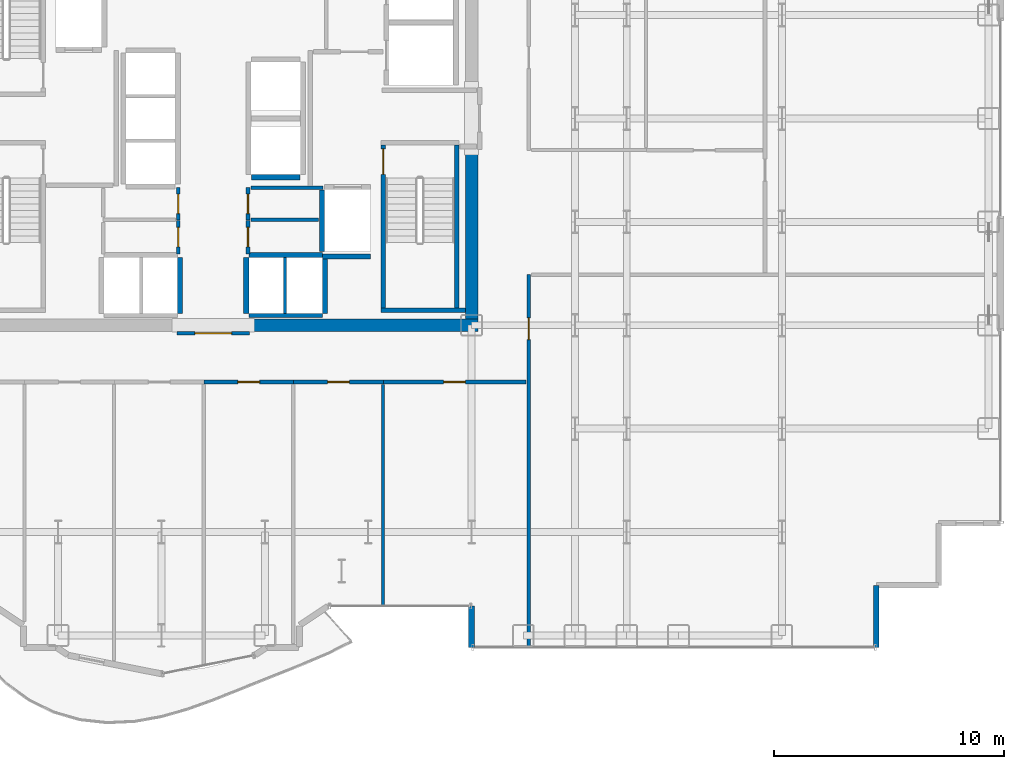
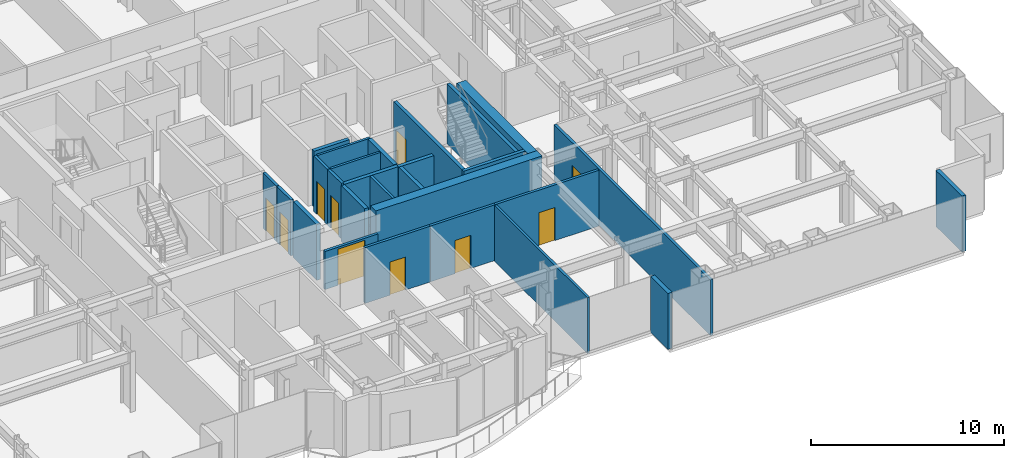
# One storey, part 24 of 29: 28 walls, 10 doors, 10 openings.
"""IFC4 building model written with IfcOpenShell, lengths in metres."""

from ifc_helpers import new_model, si_unit, direction, frame, frame_2d, origin, place, context, subcontext, project, spatial, rectangle, extrude, source, transform, mapped, material, layer, layer_set, type_object, element, fill, save


model = new_model("IFC4")

# Units and contexts
model_context = context("Model", 3, precision=1e-05, world=origin(), true_north=direction((0.0, 1.0)))
body_context = subcontext(model_context, "Body", "Model", "MODEL_VIEW")
ifc_project = project(units=[si_unit("LENGTHUNIT", "METRE"), si_unit("AREAUNIT", "SQUARE_METRE"), si_unit("VOLUMEUNIT", "CUBIC_METRE"), si_unit("PLANEANGLEUNIT", "RADIAN"), si_unit("MASSUNIT", "GRAM", prefix="KILO")], contexts=[model_context])

# Site, building, storey
site_placement = place(None, origin())
site = spatial("IfcSite", under=ifc_project, at=site_placement, CompositionType="ELEMENT")
building_placement = place(site_placement, origin())
building = spatial("IfcBuilding", under=site, at=building_placement, Name="Nefas-Gora Pilgrimage Tower", CompositionType="ELEMENT")
storey_placement = place(building_placement, frame((0.0, 0.0, 90.800048828125)))
storey = spatial("IfcBuildingStorey", under=building, at=storey_placement, Name="L21", CompositionType="ELEMENT", Elevation=90.800048828125)

# Walls
ifc_material_1 = material(Name="Concrete C60/75", Category="concrete")
ifc_layer_1 = layer(ifc_material_1, 0.550048828125)
ifc_layer_set_1 = layer_set([ifc_layer_1], Name="Concrete C60/75")
wall_type_1 = type_object("IfcWallType", Name="SW-CORE-550", PredefinedType="SHEAR", material=ifc_layer_set_1)
shared_shape_1 = source(origin(), body_context, "Body", "SweptSolid", [
    extrude(rectangle(XDim=9.974853515625, YDim=0.550048828125, at=frame_2d((4.9873046875, 0.0))), origin(), (0.0, 0.0, 1.0), 3.800048828125),
])
wall_1_placement = place(storey_placement, frame((1.550048828125, -9.0, 0.0), z_axis=(0.0, 0.0, 1.0), x_axis=(1.0, 0.0, 0.0)))
element("IfcWall", 1, at=wall_1_placement, inside=storey, type_object=wall_type_1, Name="L21 Core Shear Wall S-East", PredefinedType="SHEAR", context=body_context, shape_type="MappedRepresentation", body=[
    mapped(shared_shape_1, transform((0.0, 0.0, 0.0), x_axis=(1.0, 0.0, 0.0), y_axis=(0.0, 1.0, 0.0), z_axis=(0.0, 0.0, 1.0), scale=1.0)),
])
shared_shape_2 = source(origin(), body_context, "Body", "SweptSolid", [
    extrude(rectangle(XDim=7.375, YDim=0.550048828125, at=frame_2d((3.6875, 0.0))), origin(), (0.0, 0.0, 1.0), 3.800048828125),
])
wall_2_placement = place(storey_placement, frame((11.25, -8.72509765625, 0.0), z_axis=(0.0, 0.0, 1.0), x_axis=(0.0, 1.0, 0.0)))
element("IfcWall", 2, at=wall_2_placement, inside=storey, type_object=wall_type_1, Name="L21 Core Shear Wall E-South", PredefinedType="SHEAR", context=body_context, shape_type="MappedRepresentation", body=[
    mapped(shared_shape_2, transform((0.0, 0.0, 0.0), x_axis=(1.0, 0.0, 0.0), y_axis=(0.0, 1.0, 0.0), z_axis=(0.0, 0.0, 1.0), scale=1.0)),
])
ifc_material_2 = material(Name="Precast concrete C40/50", Category="concrete")
ifc_layer_2 = layer(ifc_material_2, 0.260009765625)
ifc_layer_set_2 = layer_set([ifc_layer_2], Name="Precast concrete C40/50")
wall_type_2 = type_object("IfcWallType", Name="EW-PORTAL-260", PredefinedType="SOLIDWALL", material=ifc_layer_set_2)
shared_shape_3 = source(origin(), body_context, "Body", "SweptSolid", [
    extrude(rectangle(XDim=1.800048828125, YDim=0.260009765625, at=frame_2d((0.89990234375, 0.0))), origin(), (0.0, 0.0, 1.0), 3.550048828125),
])
wall_3_placement = place(storey_placement, frame((11.25, -21.219970703125, 0.0), z_axis=(0.0, 0.0, 1.0), x_axis=(0.0, -1.0, 0.0)))
element("IfcWall", 3, at=wall_3_placement, inside=storey, type_object=wall_type_2, Name="L21 Lobe Shoulder Precast Spandrel Pier 5", PredefinedType="SOLIDWALL", context=body_context, shape_type="MappedRepresentation", body=[
    mapped(shared_shape_3, transform((0.0, 0.0, 0.0), x_axis=(1.0, 0.0, 0.0), y_axis=(0.0, 1.0, 0.0), z_axis=(0.0, 0.0, 1.0), scale=1.0)),
])
ifc_material_3 = material(Name="Precast concrete C45/55", Category="concrete")
ifc_layer_3 = layer(ifc_material_3, 0.239990234375)
ifc_layer_set_3 = layer_set([ifc_layer_3], Name="Precast concrete C45/55")
wall_type_3 = type_object("IfcWallType", Name="EW-SERR-240", PredefinedType="SHEAR", material=ifc_layer_set_3)
shared_shape_4 = source(origin(), body_context, "Body", "SweptSolid", [
    extrude(rectangle(XDim=2.699951171875, YDim=0.239990234375, at=frame_2d((1.35009765625, 0.0))), origin(), (0.0, 0.0, 1.0), 3.550048828125),
])
wall_4_placement = place(storey_placement, frame((28.8701171875, -23.02001953125, 0.0), z_axis=(0.0, 0.0, 1.0), x_axis=(0.0, 1.0, 0.0)))
element("IfcWall", 4, at=wall_4_placement, inside=storey, type_object=wall_type_3, Name="L21 Serrated Corner Shear Pier Wall 6", PredefinedType="SHEAR", context=body_context, shape_type="MappedRepresentation", body=[
    mapped(shared_shape_4, transform((0.0, 0.0, 0.0), x_axis=(1.0, 0.0, 0.0), y_axis=(0.0, 1.0, 0.0), z_axis=(0.0, 0.0, 1.0), scale=1.0)),
])

# Wall, opening, door
ifc_material_4 = material(Name="Concrete C45/55", Category="concrete")
ifc_layer_4 = layer(ifc_material_4, 0.199951171875)
ifc_layer_set_4 = layer_set([ifc_layer_4], Name="Concrete C45/55")
wall_type_4 = type_object("IfcWallType", Name="IW-STAIR-200", PredefinedType="SOLIDWALL", material=ifc_layer_set_4)
shared_shape_5 = source(origin(), body_context, "Body", "SweptSolid", [
    extrude(rectangle(XDim=7.10009765625, YDim=0.199951171875, at=frame_2d((3.550048828125, 0.0))), origin(), (0.0, 0.0, 1.0), 3.800048828125),
])
wall_5_placement = place(storey_placement, frame((7.39990234375, -1.14990234375, 0.0), z_axis=(0.0, 0.0, 1.0), x_axis=(0.0, -1.0, 0.0)))
wall_5 = element("IfcWall", 5, at=wall_5_placement, inside=storey, type_object=wall_type_4, Name="L21 Stairwell Shear Wall ST-02-left", PredefinedType="SOLIDWALL", context=body_context, shape_type="MappedRepresentation", body=[
    mapped(shared_shape_5, transform((0.0, 0.0, 0.0), x_axis=(1.0, 0.0, 0.0), y_axis=(0.0, 1.0, 0.0), z_axis=(0.0, 0.0, 1.0), scale=1.0)),
])
opening_1_placement = place(wall_5_placement, frame((0.179931640625, 0.0, 0.0)))
opening_1 = element("IfcOpeningElement", 6, at=opening_1_placement, cuts=wall_5, Name="Opening ID-ST1", PredefinedType="OPENING", context=body_context, shape_type="SweptSolid", body=[
    extrude(rectangle(XDim=1.10009765625, YDim=2.14990234375, at=frame_2d((0.550048828125, 1.074951171875))), frame((0.0, 0.10986328125, 0.0), z_axis=(0.0, -1.0, 0.0), x_axis=(1.0, 0.0, 0.0)), (0.0, 0.0, 1.0), 0.219970703125),
])
ifc_material_5 = material(Name="Painted galvanised steel fire stair door", Category="steel")
door_type_1 = type_object("IfcDoorType", Name="DR-INT-STAIR-1100", OperationType="NOTDEFINED", PredefinedType="DOOR", material=ifc_material_5)
shared_shape_6 = source(origin(), body_context, "Body", "SweptSolid", [
    extrude(rectangle(XDim=1.10009765625, YDim=2.14990234375, at=frame_2d((0.550048828125, 1.074951171875))), frame((0.0, 0.02490234375, 0.0), z_axis=(0.0, -1.0, 0.0), x_axis=(1.0, 0.0, 0.0)), (0.0, 0.0, 1.0), 0.050048828125),
])
door_1_placement = place(opening_1_placement, origin())
door_1 = element("IfcDoor", 7, at=door_1_placement, inside=storey, type_object=door_type_1, Name="L21 Protected Exit Stair Door ST-02", OperationType="SINGLE_SWING_RIGHT", OverallHeight=2.14990234375, OverallWidth=1.10009765625, PredefinedType="DOOR", context=body_context, shape_type="MappedRepresentation", body=[
    mapped(shared_shape_6, transform((0.0, 0.0, 0.0), x_axis=(1.0, 0.0, 0.0), y_axis=(0.0, 1.0, 0.0), z_axis=(0.0, 0.0, 1.0), scale=1.0)),
])
fill(opening_1, door_1)

# Walls
wall_6_placement = place(storey_placement, frame((10.60009765625, -1.14990234375, 0.0), z_axis=(0.0, 0.0, 1.0), x_axis=(0.0, -1.0, 0.0)))
element("IfcWall", 8, at=wall_6_placement, inside=storey, type_object=wall_type_4, Name="L21 Stairwell Shear Wall ST-02-right", PredefinedType="SOLIDWALL", context=body_context, shape_type="MappedRepresentation", body=[
    mapped(shared_shape_5, transform((0.0, 0.0, 0.0), x_axis=(1.0, 0.0, 0.0), y_axis=(0.0, 1.0, 0.0), z_axis=(0.0, 0.0, 1.0), scale=1.0)),
])
shared_shape_7 = source(origin(), body_context, "Body", "SweptSolid", [
    extrude(rectangle(XDim=3.679931640625, YDim=0.199951171875, at=frame_2d((1.83984375, 0.0))), origin(), (0.0, 0.0, 1.0), 3.800048828125),
])
wall_7_placement = place(storey_placement, frame((7.300048828125, -8.35009765625, 0.0), z_axis=(0.0, 0.0, 1.0), x_axis=(1.0, 0.0, 0.0)))
element("IfcWall", 9, at=wall_7_placement, inside=storey, type_object=wall_type_4, Name="L21 Stairwell Shear Wall ST-02-far", PredefinedType="SOLIDWALL", context=body_context, shape_type="MappedRepresentation", body=[
    mapped(shared_shape_7, transform((0.0, 0.0, 0.0), x_axis=(1.0, 0.0, 0.0), y_axis=(0.0, 1.0, 0.0), z_axis=(0.0, 0.0, 1.0), scale=1.0)),
])
ifc_material_6 = material(Name="Concrete C40/50", Category="concrete")
ifc_layer_5 = layer(ifc_material_6, 0.219970703125)
ifc_layer_set_5 = layer_set([ifc_layer_5], Name="Concrete C40/50")
wall_type_5 = type_object("IfcWallType", Name="IW-SHAFT-220", PredefinedType="SOLIDWALL", material=ifc_layer_set_5)
shared_shape_8 = source(origin(), body_context, "Body", "SweptSolid", [
    extrude(rectangle(XDim=2.679931640625, YDim=0.219970703125, at=frame_2d((1.33984375, 0.0))), origin(), (0.0, 0.0, 1.0), 3.534912109375),
])
wall_8_placement = place(storey_placement, frame((4.739990234375, -3.110107421875, 0.0), z_axis=(0.0, 0.0, 1.0), x_axis=(0.0, -1.0, 0.0)))
element("IfcWall", 10, at=wall_8_placement, inside=storey, type_object=wall_type_5, Name="L21 Hoistway Wall FFL-02-W", PredefinedType="SOLIDWALL", context=body_context, shape_type="MappedRepresentation", body=[
    mapped(shared_shape_8, transform((0.0, 0.0, 0.0), x_axis=(1.0, 0.0, 0.0), y_axis=(0.0, 1.0, 0.0), z_axis=(0.0, 0.0, 1.0), scale=1.0)),
])
shared_shape_9 = source(origin(), body_context, "Body", "SweptSolid", [
    extrude(rectangle(XDim=3.199951171875, YDim=0.219970703125, at=frame_2d((1.60009765625, 0.0))), origin(), (0.0, 0.0, 1.0), 3.534912109375),
])
wall_9_placement = place(storey_placement, frame((4.75, -5.93994140625, 0.0), z_axis=(0.0, 0.0, 1.0), x_axis=(-1.0, 0.0, 0.0)))
element("IfcWall", 11, at=wall_9_placement, inside=storey, type_object=wall_type_5, Name="L21 Hoistway Wall PL2-E-N", PredefinedType="SOLIDWALL", context=body_context, shape_type="MappedRepresentation", body=[
    mapped(shared_shape_9, transform((0.0, 0.0, 0.0), x_axis=(1.0, 0.0, 0.0), y_axis=(0.0, 1.0, 0.0), z_axis=(0.0, 0.0, 1.0), scale=1.0)),
])
ifc_material_7 = material(Name="Gypsum acoustic stud partition")
ifc_layer_6 = layer(ifc_material_7, 0.159912109375)
ifc_layer_set_6 = layer_set([ifc_layer_6], Name="Gypsum acoustic stud partition")
wall_type_6 = type_object("IfcWallType", Name="IW-CORR-160", PredefinedType="PARTITIONING", material=ifc_layer_set_6)
shared_shape_10 = source(origin(), body_context, "Body", "SweptSolid", [
    extrude(rectangle(XDim=3.199951171875, YDim=0.159912109375, at=frame_2d((1.60009765625, 0.0))), origin(), (0.0, 0.0, 1.0), 2.425048828125),
])
wall_10_placement = place(storey_placement, frame((1.550048828125, -8.580078125, 0.0), z_axis=(0.0, 0.0, 1.0), x_axis=(1.0, 0.0, 0.0)))
element("IfcWall", 12, at=wall_10_placement, inside=storey, type_object=wall_type_6, Name="L21 Hoistway Wall PL2-E-S", PredefinedType="PARTITIONING", context=body_context, shape_type="MappedRepresentation", body=[
    mapped(shared_shape_10, transform((0.0, 0.0, 0.0), x_axis=(1.0, 0.0, 0.0), y_axis=(0.0, 1.0, 0.0), z_axis=(0.0, 0.0, 1.0), scale=1.0)),
])
shared_shape_11 = source(origin(), body_context, "Body", "SweptSolid", [
    extrude(rectangle(XDim=2.429931640625, YDim=0.219970703125, at=frame_2d((1.21484375, 0.0))), origin(), (0.0, 0.0, 1.0), 3.534912109375),
])
for number, where, z_axis, x_axis, name in (
    (13, (-1.43994140625, -8.489990234375, 0.0), (0.0, 0.0, 1.0), (0.0, 1.0, 0.0), "L21 Hoistway Wall PL2-W-E"),
    (14, (1.43994140625, -6.06005859375, 0.0), (0.0, 0.0, 1.0), (0.0, -1.0, 0.0), "L21 Hoistway Wall PL2-E-W"),
    (15, (4.860107421875, -8.489990234375, 0.0), (0.0, 0.0, 1.0), (0.0, 1.0, 0.0), "L21 Hoistway Wall PL2-E-E"),
):
    element("IfcWall", number, at=place(storey_placement, frame(where, z_axis=z_axis, x_axis=x_axis)), inside=storey, type_object=wall_type_5, Name=name, PredefinedType="SOLIDWALL", context=body_context, shape_type="MappedRepresentation", body=[
        mapped(shared_shape_11, transform((0.0, 0.0, 0.0), x_axis=(1.0, 0.0, 0.0), y_axis=(0.0, 1.0, 0.0), z_axis=(0.0, 0.0, 1.0), scale=1.0)),
    ])
ifc_material_8 = material(Name="Gypsum twin-stud partition")
ifc_layer_7 = layer(ifc_material_8, 0.139892578125)
ifc_layer_set_7 = layer_set([ifc_layer_7], Name="Gypsum twin-stud partition")
wall_type_7 = type_object("IfcWallType", Name="IW-UNIT-140", PredefinedType="PARTITIONING", material=ifc_layer_set_7)
shared_shape_12 = source(origin(), body_context, "Body", "SweptSolid", [
    extrude(rectangle(XDim=2.429931640625, YDim=0.139892578125, at=frame_2d((1.21484375, 0.0))), origin(), (0.0, 0.0, 1.0), 3.534912109375),
])
wall_11_placement = place(storey_placement, frame((3.125, -8.489990234375, 0.0), z_axis=(0.0, 0.0, 1.0), x_axis=(0.0, 1.0, 0.0)))
element("IfcWall", 16, at=wall_11_placement, inside=storey, type_object=wall_type_7, Name="L21 Hoistway Wall PL2-E-DIV", PredefinedType="PARTITIONING", context=body_context, shape_type="MappedRepresentation", body=[
    mapped(shared_shape_12, transform((0.0, 0.0, 0.0), x_axis=(1.0, 0.0, 0.0), y_axis=(0.0, 1.0, 0.0), z_axis=(0.0, 0.0, 1.0), scale=1.0)),
])
shared_shape_13 = source(origin(), body_context, "Body", "SweptSolid", [
    extrude(rectangle(XDim=2.130126953125, YDim=0.219970703125, at=frame_2d((1.06494140625, 0.0))), origin(), (0.0, 0.0, 1.0), 3.534912109375),
])
wall_12_placement = place(storey_placement, frame((1.659912109375, -2.56005859375, 0.0), z_axis=(0.0, 0.0, 1.0), x_axis=(1.0, 0.0, 0.0)))
element("IfcWall", 17, at=wall_12_placement, inside=storey, type_object=wall_type_5, Name="L21 Hoistway Wall OBS-01-S", PredefinedType="SOLIDWALL", context=body_context, shape_type="MappedRepresentation", body=[
    mapped(shared_shape_13, transform((0.0, 0.0, 0.0), x_axis=(1.0, 0.0, 0.0), y_axis=(0.0, 1.0, 0.0), z_axis=(0.0, 0.0, 1.0), scale=1.0)),
])
shared_shape_14 = source(origin(), body_context, "Body", "SweptSolid", [
    extrude(rectangle(XDim=2.09521484375, YDim=0.219970703125, at=frame_2d((1.047607421875, 0.0))), origin(), (0.0, 0.0, 1.0), 3.534912109375),
])
wall_13_placement = place(storey_placement, frame((4.7548828125, -6.0, 0.0), z_axis=(0.0, 0.0, 1.0), x_axis=(1.0, 0.0, 0.0)))
element("IfcWall", 18, at=wall_13_placement, inside=storey, type_object=wall_type_5, Name="L21 Riser Shaft Wall 2", PredefinedType="SOLIDWALL", context=body_context, shape_type="MappedRepresentation", body=[
    mapped(shared_shape_14, transform((0.0, 0.0, 0.0), x_axis=(1.0, 0.0, 0.0), y_axis=(0.0, 1.0, 0.0), z_axis=(0.0, 0.0, 1.0), scale=1.0)),
])
shared_shape_15 = source(origin(), body_context, "Body", "SweptSolid", [
    extrude(rectangle(XDim=2.9501953125, YDim=0.139892578125, at=frame_2d((1.47509765625, 0.0))), origin(), (0.0, 0.0, 1.0), 3.534912109375),
])
wall_14_placement = place(storey_placement, frame((1.639892578125, -4.409912109375, 0.0), z_axis=(0.0, 0.0, 1.0), x_axis=(1.0, 0.0, 0.0)))
element("IfcWall", 19, at=wall_14_placement, inside=storey, type_object=wall_type_7, Name="L21 Clean Blanket and Robe Store Partition Wall 23", PredefinedType="PARTITIONING", context=body_context, shape_type="MappedRepresentation", body=[
    mapped(shared_shape_15, transform((0.0, 0.0, 0.0), x_axis=(1.0, 0.0, 0.0), y_axis=(0.0, 1.0, 0.0), z_axis=(0.0, 0.0, 1.0), scale=1.0)),
])
shared_shape_16 = source(origin(), body_context, "Body", "SweptSolid", [
    extrude(rectangle(XDim=9.64990234375, YDim=0.139892578125, at=frame_2d((4.824951171875, 0.0))), origin(), (0.0, 0.0, 1.0), 3.534912109375),
])
wall_15_placement = place(storey_placement, frame((7.39501953125, -21.239990234375, 0.0), z_axis=(0.0, 0.0, 1.0), x_axis=(0.0, 1.0, 0.0)))
element("IfcWall", 20, at=wall_15_placement, inside=storey, type_object=wall_type_7, Name="L21 Pilgrim Contemplative Lounge Partition Wall 65", PredefinedType="PARTITIONING", context=body_context, shape_type="MappedRepresentation", body=[
    mapped(shared_shape_16, transform((0.0, 0.0, 0.0), x_axis=(1.0, 0.0, 0.0), y_axis=(0.0, 1.0, 0.0), z_axis=(0.0, 0.0, 1.0), scale=1.0)),
])

# Wall, opening, door
shared_shape_17 = source(origin(), body_context, "Body", "SweptSolid", [
    extrude(rectangle(XDim=1.409912109375, YDim=0.159912109375, at=frame_2d((0.705078125, 0.0))), origin(), (0.0, 0.0, 1.0), 3.534912109375),
])
wall_16_placement = place(storey_placement, frame((-1.52001953125, -4.419921875, 0.0), z_axis=(0.0, 0.0, 1.0), x_axis=(0.0, 1.0, 0.0)))
wall_16 = element("IfcWall", 21, at=wall_16_placement, inside=storey, type_object=wall_type_6, Name="L21 Housekeeping and Linen Store Wall 16", PredefinedType="PARTITIONING", context=body_context, shape_type="MappedRepresentation", body=[
    mapped(shared_shape_17, transform((0.0, 0.0, 0.0), x_axis=(1.0, 0.0, 0.0), y_axis=(0.0, 1.0, 0.0), z_axis=(0.0, 0.0, 1.0), scale=1.0)),
])
opening_2_placement = place(wall_16_placement, frame((0.280029296875, 0.0, 0.0)))
opening_2 = element("IfcOpeningElement", 22, at=opening_2_placement, cuts=wall_16, Name="Opening ID-BT1", PredefinedType="OPENING", context=body_context, shape_type="SweptSolid", body=[
    extrude(rectangle(XDim=0.85009765625, YDim=2.10009765625, at=frame_2d((0.425048828125, 1.050048828125))), frame((0.0, 0.08984375, 0.0), z_axis=(0.0, -1.0, 0.0), x_axis=(1.0, 0.0, 0.0)), (0.0, 0.0, 1.0), 0.179931640625),
])
ifc_material_9 = material(Name="Moisture-resistant fire-rated timber door", Category="wood")
door_type_2 = type_object("IfcDoorType", Name="DR-INT-BATH-850", OperationType="NOTDEFINED", PredefinedType="DOOR", material=ifc_material_9)
shared_shape_18 = source(origin(), body_context, "Body", "SweptSolid", [
    extrude(rectangle(XDim=0.85009765625, YDim=2.10009765625, at=frame_2d((0.425048828125, 1.050048828125))), frame((0.0, 0.02490234375, 0.0), z_axis=(0.0, -1.0, 0.0), x_axis=(1.0, 0.0, 0.0)), (0.0, 0.0, 1.0), 0.050048828125),
])
door_2_placement = place(opening_2_placement, origin())
door_2 = element("IfcDoor", 23, at=door_2_placement, inside=storey, type_object=door_type_2, Name="L21 Housekeeping and Linen Store Door 6", OperationType="SINGLE_SWING_LEFT", OverallHeight=2.10009765625, OverallWidth=0.85009765625, PredefinedType="DOOR", context=body_context, shape_type="MappedRepresentation", body=[
    mapped(shared_shape_18, transform((0.0, 0.0, 0.0), x_axis=(1.0, 0.0, 0.0), y_axis=(0.0, 1.0, 0.0), z_axis=(0.0, 0.0, 1.0), scale=1.0)),
])
fill(opening_2, door_2)

wall_17_placement = place(storey_placement, frame((1.52001953125, -4.419921875, 0.0), z_axis=(0.0, 0.0, 1.0), x_axis=(0.0, 1.0, 0.0)))
wall_17 = element("IfcWall", 24, at=wall_17_placement, inside=storey, type_object=wall_type_6, Name="L21 Clean Blanket and Robe Store Wall 21", PredefinedType="PARTITIONING", context=body_context, shape_type="MappedRepresentation", body=[
    mapped(shared_shape_17, transform((0.0, 0.0, 0.0), x_axis=(1.0, 0.0, 0.0), y_axis=(0.0, 1.0, 0.0), z_axis=(0.0, 0.0, 1.0), scale=1.0)),
])
opening_3_placement = place(wall_17_placement, frame((0.280029296875, 0.0, 0.0)))
opening_3 = element("IfcOpeningElement", 25, at=opening_3_placement, cuts=wall_17, Name="Opening ID-BT1", PredefinedType="OPENING", context=body_context, shape_type="SweptSolid", body=[
    extrude(rectangle(XDim=0.85009765625, YDim=2.10009765625, at=frame_2d((0.425048828125, 1.050048828125))), frame((0.0, 0.08984375, 0.0), z_axis=(0.0, -1.0, 0.0), x_axis=(1.0, 0.0, 0.0)), (0.0, 0.0, 1.0), 0.179931640625),
])
door_3_placement = place(opening_3_placement, origin())
door_3 = element("IfcDoor", 26, at=door_3_placement, inside=storey, type_object=door_type_2, Name="L21 Clean Blanket and Robe Store Door 8", OperationType="SINGLE_SWING_LEFT", OverallHeight=2.10009765625, OverallWidth=0.85009765625, PredefinedType="DOOR", context=body_context, shape_type="MappedRepresentation", body=[
    mapped(shared_shape_18, transform((0.0, 0.0, 0.0), x_axis=(1.0, 0.0, 0.0), y_axis=(0.0, 1.0, 0.0), z_axis=(0.0, 0.0, 1.0), scale=1.0)),
])
fill(opening_3, door_3)

# Wall
shared_shape_19 = source(origin(), body_context, "Body", "SweptSolid", [
    extrude(rectangle(XDim=3.150146484375, YDim=0.139892578125, at=frame_2d((1.5751953125, 0.0))), origin(), (0.0, 0.0, 1.0), 3.534912109375),
])
wall_18_placement = place(storey_placement, frame((1.639892578125, -3.02001953125, 0.0), z_axis=(0.0, 0.0, 1.0), x_axis=(1.0, 0.0, 0.0)))
element("IfcWall", 27, at=wall_18_placement, inside=storey, type_object=wall_type_7, Name="L21 Clean Blanket and Robe Store Partition Wall 22", PredefinedType="PARTITIONING", context=body_context, shape_type="MappedRepresentation", body=[
    mapped(shared_shape_19, transform((0.0, 0.0, 0.0), x_axis=(1.0, 0.0, 0.0), y_axis=(0.0, 1.0, 0.0), z_axis=(0.0, 0.0, 1.0), scale=1.0)),
])

# Wall, opening, door
shared_shape_20 = source(origin(), body_context, "Body", "SweptSolid", [
    extrude(rectangle(XDim=1.449951171875, YDim=0.159912109375, at=frame_2d((0.72509765625, 0.0))), origin(), (0.0, 0.0, 1.0), 3.534912109375),
])
wall_19_placement = place(storey_placement, frame((-1.52001953125, -5.889892578125, 0.0), z_axis=(0.0, 0.0, 1.0), x_axis=(0.0, 1.0, 0.0)))
wall_19 = element("IfcWall", 28, at=wall_19_placement, inside=storey, type_object=wall_type_6, Name="L21 Guest Self-Service Laundry Room Wall 19", PredefinedType="PARTITIONING", context=body_context, shape_type="MappedRepresentation", body=[
    mapped(shared_shape_20, transform((0.0, 0.0, 0.0), x_axis=(1.0, 0.0, 0.0), y_axis=(0.0, 1.0, 0.0), z_axis=(0.0, 0.0, 1.0), scale=1.0)),
])
opening_4_placement = place(wall_19_placement, frame((0.300048828125, 0.0, 0.0)))
opening_4 = element("IfcOpeningElement", 29, at=opening_4_placement, cuts=wall_19, Name="Opening ID-BT1", PredefinedType="OPENING", context=body_context, shape_type="SweptSolid", body=[
    extrude(rectangle(XDim=0.85009765625, YDim=2.10009765625, at=frame_2d((0.425048828125, 1.050048828125))), frame((0.0, 0.08984375, 0.0), z_axis=(0.0, -1.0, 0.0), x_axis=(1.0, 0.0, 0.0)), (0.0, 0.0, 1.0), 0.179931640625),
])
door_4_placement = place(opening_4_placement, origin())
door_4 = element("IfcDoor", 30, at=door_4_placement, inside=storey, type_object=door_type_2, Name="L21 Guest Self-Service Laundry Room Door 7", OperationType="SINGLE_SWING_RIGHT", OverallHeight=2.10009765625, OverallWidth=0.85009765625, PredefinedType="DOOR", context=body_context, shape_type="MappedRepresentation", body=[
    mapped(shared_shape_18, transform((0.0, 0.0, 0.0), x_axis=(1.0, 0.0, 0.0), y_axis=(0.0, 1.0, 0.0), z_axis=(0.0, 0.0, 1.0), scale=1.0)),
])
fill(opening_4, door_4)

wall_20_placement = place(storey_placement, frame((1.52001953125, -5.889892578125, 0.0), z_axis=(0.0, 0.0, 1.0), x_axis=(0.0, 1.0, 0.0)))
wall_20 = element("IfcWall", 31, at=wall_20_placement, inside=storey, type_object=wall_type_6, Name="L21 Core Amenity Supply Store Wall 24", PredefinedType="PARTITIONING", context=body_context, shape_type="MappedRepresentation", body=[
    mapped(shared_shape_20, transform((0.0, 0.0, 0.0), x_axis=(1.0, 0.0, 0.0), y_axis=(0.0, 1.0, 0.0), z_axis=(0.0, 0.0, 1.0), scale=1.0)),
])
opening_5_placement = place(wall_20_placement, frame((0.300048828125, 0.0, 0.0)))
opening_5 = element("IfcOpeningElement", 32, at=opening_5_placement, cuts=wall_20, Name="Opening ID-BT1", PredefinedType="OPENING", context=body_context, shape_type="SweptSolid", body=[
    extrude(rectangle(XDim=0.85009765625, YDim=2.10009765625, at=frame_2d((0.425048828125, 1.050048828125))), frame((0.0, 0.08984375, 0.0), z_axis=(0.0, -1.0, 0.0), x_axis=(1.0, 0.0, 0.0)), (0.0, 0.0, 1.0), 0.179931640625),
])
door_5_placement = place(opening_5_placement, origin())
door_5 = element("IfcDoor", 33, at=door_5_placement, inside=storey, type_object=door_type_2, Name="L21 Core Amenity Supply Store Door 9", OperationType="SINGLE_SWING_RIGHT", OverallHeight=2.10009765625, OverallWidth=0.85009765625, PredefinedType="DOOR", context=body_context, shape_type="MappedRepresentation", body=[
    mapped(shared_shape_18, transform((0.0, 0.0, 0.0), x_axis=(1.0, 0.0, 0.0), y_axis=(0.0, 1.0, 0.0), z_axis=(0.0, 0.0, 1.0), scale=1.0)),
])
fill(opening_5, door_5)

shared_shape_21 = source(origin(), body_context, "Body", "SweptSolid", [
    extrude(rectangle(XDim=3.905029296875, YDim=0.159912109375, at=frame_2d((1.95263671875, 0.0))), origin(), (0.0, 0.0, 1.0), 3.534912109375),
])
wall_21_placement = place(storey_placement, frame((-0.405029296875, -11.469970703125, 0.0), z_axis=(0.0, 0.0, 1.0), x_axis=(1.0, 0.0, 0.0)))
wall_21 = element("IfcWall", 34, at=wall_21_placement, inside=storey, type_object=wall_type_6, Name="L21 Pilgrim Contemplative Lounge Partition Wall 62", PredefinedType="PARTITIONING", context=body_context, shape_type="MappedRepresentation", body=[
    mapped(shared_shape_21, transform((0.0, 0.0, 0.0), x_axis=(1.0, 0.0, 0.0), y_axis=(0.0, 1.0, 0.0), z_axis=(0.0, 0.0, 1.0), scale=1.0)),
])
opening_6_placement = place(wall_21_placement, frame((1.4775390625, 0.0, 0.0)))
opening_6 = element("IfcOpeningElement", 35, at=opening_6_placement, cuts=wall_21, Name="Opening ID-GR1", PredefinedType="OPENING", context=body_context, shape_type="SweptSolid", body=[
    extrude(rectangle(XDim=0.949951171875, YDim=2.10009765625, at=frame_2d((0.47509765625, 1.050048828125))), frame((0.0, 0.08984375, 0.0), z_axis=(0.0, -1.0, 0.0), x_axis=(1.0, 0.0, 0.0)), (0.0, 0.0, 1.0), 0.179931640625),
])
ifc_material_10 = material(Name="Solid core oak fire-rated guest entrance door")
door_type_3 = type_object("IfcDoorType", Name="DR-INT-GUEST-950", OperationType="NOTDEFINED", PredefinedType="DOOR", material=ifc_material_10)
shared_shape_22 = source(origin(), body_context, "Body", "SweptSolid", [
    extrude(rectangle(XDim=0.949951171875, YDim=2.10009765625, at=frame_2d((0.47509765625, 1.050048828125))), frame((0.0, 0.02490234375, 0.0), z_axis=(0.0, -1.0, 0.0), x_axis=(1.0, 0.0, 0.0)), (0.0, 0.0, 1.0), 0.050048828125),
])
door_6_placement = place(opening_6_placement, origin())
door_6 = element("IfcDoor", 36, at=door_6_placement, inside=storey, type_object=door_type_3, Name="L21 Pilgrim Contemplative Lounge Door 29", OperationType="SINGLE_SWING_RIGHT", OverallHeight=2.10009765625, OverallWidth=0.949951171875, PredefinedType="DOOR", context=body_context, shape_type="MappedRepresentation", body=[
    mapped(shared_shape_22, transform((0.0, 0.0, 0.0), x_axis=(1.0, 0.0, 0.0), y_axis=(0.0, 1.0, 0.0), z_axis=(0.0, 0.0, 1.0), scale=1.0)),
])
fill(opening_6, door_6)

wall_22_placement = place(storey_placement, frame((3.5, -11.469970703125, 0.0), z_axis=(0.0, 0.0, 1.0), x_axis=(1.0, 0.0, 0.0)))
wall_22 = element("IfcWall", 37, at=wall_22_placement, inside=storey, type_object=wall_type_6, Name="L21 Pilgrim Contemplative Lounge Partition Wall 64", PredefinedType="PARTITIONING", context=body_context, shape_type="MappedRepresentation", body=[
    mapped(shared_shape_21, transform((0.0, 0.0, 0.0), x_axis=(1.0, 0.0, 0.0), y_axis=(0.0, 1.0, 0.0), z_axis=(0.0, 0.0, 1.0), scale=1.0)),
])
opening_7_placement = place(wall_22_placement, frame((1.4775390625, 0.0, 0.0)))
opening_7 = element("IfcOpeningElement", 38, at=opening_7_placement, cuts=wall_22, Name="Opening ID-GR1", PredefinedType="OPENING", context=body_context, shape_type="SweptSolid", body=[
    extrude(rectangle(XDim=0.949951171875, YDim=2.10009765625, at=frame_2d((0.47509765625, 1.050048828125))), frame((0.0, 0.08984375, 0.0), z_axis=(0.0, -1.0, 0.0), x_axis=(1.0, 0.0, 0.0)), (0.0, 0.0, 1.0), 0.179931640625),
])
door_7_placement = place(opening_7_placement, origin())
door_7 = element("IfcDoor", 39, at=door_7_placement, inside=storey, type_object=door_type_3, Name="L21 Pilgrim Contemplative Lounge Door 30", OperationType="SINGLE_SWING_LEFT", OverallHeight=2.10009765625, OverallWidth=0.949951171875, PredefinedType="DOOR", context=body_context, shape_type="MappedRepresentation", body=[
    mapped(shared_shape_22, transform((0.0, 0.0, 0.0), x_axis=(1.0, 0.0, 0.0), y_axis=(0.0, 1.0, 0.0), z_axis=(0.0, 0.0, 1.0), scale=1.0)),
])
fill(opening_7, door_7)

shared_shape_23 = source(origin(), body_context, "Body", "SweptSolid", [
    extrude(rectangle(XDim=3.16015625, YDim=0.159912109375, at=frame_2d((1.580078125, 0.0))), origin(), (0.0, 0.0, 1.0), 2.425048828125),
])
wall_23_placement = place(storey_placement, frame((-1.580078125, -9.35009765625, 0.0), z_axis=(0.0, 0.0, 1.0), x_axis=(1.0, 0.0, 0.0)))
wall_23 = element("IfcWall", 40, at=wall_23_placement, inside=storey, type_object=wall_type_6, Name="L21 Central Lift Lobby South Portal Wall 14", PredefinedType="PARTITIONING", context=body_context, shape_type="MappedRepresentation", body=[
    mapped(shared_shape_23, transform((0.0, 0.0, 0.0), x_axis=(1.0, 0.0, 0.0), y_axis=(0.0, 1.0, 0.0), z_axis=(0.0, 0.0, 1.0), scale=1.0)),
])
opening_8_placement = place(wall_23_placement, frame((0.780029296875, 0.0, 0.0)))
opening_8 = element("IfcOpeningElement", 41, at=opening_8_placement, cuts=wall_23, Name="Opening ID-HL1", PredefinedType="OPENING", context=body_context, shape_type="SweptSolid", body=[
    extrude(rectangle(XDim=1.60009765625, YDim=2.300048828125, at=frame_2d((0.800048828125, 1.14990234375))), frame((0.0, 0.08984375, 0.0), z_axis=(0.0, -1.0, 0.0), x_axis=(1.0, 0.0, 0.0)), (0.0, 0.0, 1.0), 0.179931640625),
])
ifc_material_11 = material(Name="Double acoustic timber assembly hall door", Category="wood")
door_type_4 = type_object("IfcDoorType", Name="DR-INT-HALL-1600", OperationType="DOUBLE_DOOR_SINGLE_SWING", PredefinedType="DOOR", material=ifc_material_11)
shared_shape_24 = source(origin(), body_context, "Body", "SweptSolid", [
    extrude(rectangle(XDim=1.60009765625, YDim=2.300048828125, at=frame_2d((0.800048828125, 1.14990234375))), frame((0.0, 0.02490234375, 0.0), z_axis=(0.0, -1.0, 0.0), x_axis=(1.0, 0.0, 0.0)), (0.0, 0.0, 1.0), 0.050048828125),
])
door_8_placement = place(opening_8_placement, origin())
door_8 = element("IfcDoor", 42, at=door_8_placement, inside=storey, type_object=door_type_4, Name="L21 Central Lift Lobby South Portal Door 5", OperationType="DOUBLE_DOOR_SINGLE_SWING", OverallHeight=2.300048828125, OverallWidth=1.60009765625, PredefinedType="DOOR", context=body_context, shape_type="MappedRepresentation", body=[
    mapped(shared_shape_24, transform((0.0, 0.0, 0.0), x_axis=(1.0, 0.0, 0.0), y_axis=(0.0, 1.0, 0.0), z_axis=(0.0, 0.0, 1.0), scale=1.0)),
])
fill(opening_8, door_8)

shared_shape_25 = source(origin(), body_context, "Body", "SweptSolid", [
    extrude(rectangle(XDim=16.2451171875, YDim=0.159912109375, at=frame_2d((8.12255859375, 0.0))), origin(), (0.0, 0.0, 1.0), 3.534912109375),
])
wall_24_placement = place(storey_placement, frame((13.739990234375, -23.0400390625, 0.0), z_axis=(0.0, 0.0, 1.0), x_axis=(0.0, 1.0, 0.0)))
wall_24 = element("IfcWall", 43, at=wall_24_placement, inside=storey, type_object=wall_type_6, Name="L21 Pilgrim Fellowship Seminar Room Partition Wall 38", PredefinedType="PARTITIONING", context=body_context, shape_type="MappedRepresentation", body=[
    mapped(shared_shape_25, transform((0.0, 0.0, 0.0), x_axis=(1.0, 0.0, 0.0), y_axis=(0.0, 1.0, 0.0), z_axis=(0.0, 0.0, 1.0), scale=1.0)),
])
opening_9_placement = place(wall_24_placement, frame((13.41259765625, 0.0, 0.0)))
opening_9 = element("IfcOpeningElement", 44, at=opening_9_placement, cuts=wall_24, Name="Opening ID-GR1", PredefinedType="OPENING", context=body_context, shape_type="SweptSolid", body=[
    extrude(rectangle(XDim=0.949951171875, YDim=2.10009765625, at=frame_2d((0.47509765625, 1.050048828125))), frame((0.0, 0.08984375, 0.0), z_axis=(0.0, -1.0, 0.0), x_axis=(1.0, 0.0, 0.0)), (0.0, 0.0, 1.0), 0.179931640625),
])
door_9_placement = place(opening_9_placement, origin())
door_9 = element("IfcDoor", 45, at=door_9_placement, inside=storey, type_object=door_type_3, Name="L21 Pilgrim Fellowship Seminar Room Door 16", OperationType="SINGLE_SWING_LEFT", OverallHeight=2.10009765625, OverallWidth=0.949951171875, PredefinedType="DOOR", context=body_context, shape_type="MappedRepresentation", body=[
    mapped(shared_shape_22, transform((0.0, 0.0, 0.0), x_axis=(1.0, 0.0, 0.0), y_axis=(0.0, 1.0, 0.0), z_axis=(0.0, 0.0, 1.0), scale=1.0)),
])
fill(opening_9, door_9)

shared_shape_26 = source(origin(), body_context, "Body", "SweptSolid", [
    extrude(rectangle(XDim=6.22509765625, YDim=0.159912109375, at=frame_2d((3.112548828125, 0.0))), origin(), (0.0, 0.0, 1.0), 3.534912109375),
])
wall_25_placement = place(storey_placement, frame((7.39501953125, -11.469970703125, 0.0), z_axis=(0.0, 0.0, 1.0), x_axis=(1.0, 0.0, 0.0)))
wall_25 = element("IfcWall", 46, at=wall_25_placement, inside=storey, type_object=wall_type_6, Name="L21 Pilgrim Contemplative Lounge Partition Wall 66", PredefinedType="PARTITIONING", context=body_context, shape_type="MappedRepresentation", body=[
    mapped(shared_shape_26, transform((0.0, 0.0, 0.0), x_axis=(1.0, 0.0, 0.0), y_axis=(0.0, 1.0, 0.0), z_axis=(0.0, 0.0, 1.0), scale=1.0)),
])
opening_10_placement = place(wall_25_placement, frame((2.637451171875, 0.0, 0.0)))
opening_10 = element("IfcOpeningElement", 47, at=opening_10_placement, cuts=wall_25, Name="Opening ID-GR1", PredefinedType="OPENING", context=body_context, shape_type="SweptSolid", body=[
    extrude(rectangle(XDim=0.949951171875, YDim=2.10009765625, at=frame_2d((0.47509765625, 1.050048828125))), frame((0.0, 0.08984375, 0.0), z_axis=(0.0, -1.0, 0.0), x_axis=(1.0, 0.0, 0.0)), (0.0, 0.0, 1.0), 0.179931640625),
])
door_10_placement = place(opening_10_placement, origin())
door_10 = element("IfcDoor", 48, at=door_10_placement, inside=storey, type_object=door_type_3, Name="L21 Pilgrim Contemplative Lounge Door 31", OperationType="SINGLE_SWING_RIGHT", OverallHeight=2.10009765625, OverallWidth=0.949951171875, PredefinedType="DOOR", context=body_context, shape_type="MappedRepresentation", body=[
    mapped(shared_shape_22, transform((0.0, 0.0, 0.0), x_axis=(1.0, 0.0, 0.0), y_axis=(0.0, 1.0, 0.0), z_axis=(0.0, 0.0, 1.0), scale=1.0)),
])
fill(opening_10, door_10)

save(model, "model.ifc")
